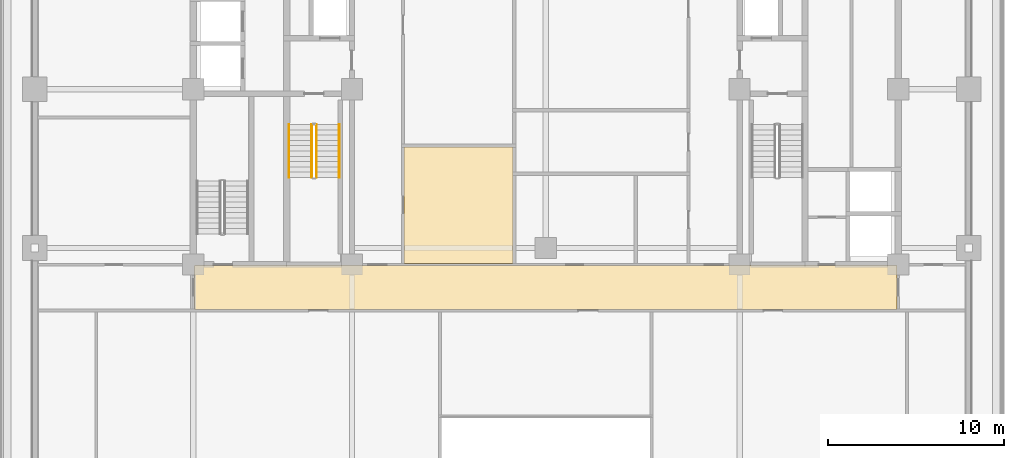
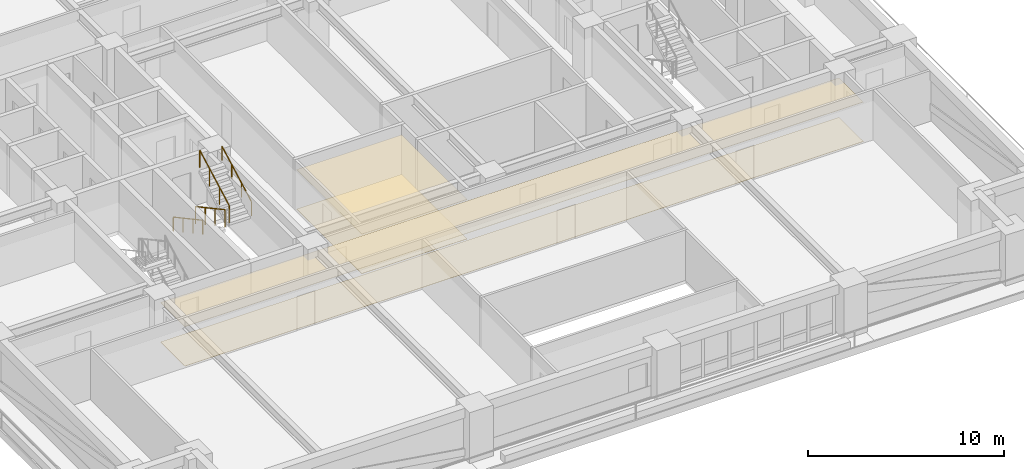
# One storey, part 15 of 18: 4 coverings, 4 railings.
"""IFC4 building model written with IfcOpenShell, lengths in metres."""

from ifc_helpers import new_model, si_unit, direction, frame, origin, origin_2d, place, context, subcontext, project, spatial, polyline, rectangle, outline, extrude, material, layer, layer_set, type_object, element, save


model = new_model("IFC4")

# Units and contexts
model_context = context("Model", 3, precision=1e-05, world=origin(), true_north=direction((0.0, 1.0)))
body_context = subcontext(model_context, "Body", "Model", "MODEL_VIEW")
ifc_project = project(units=[si_unit("LENGTHUNIT", "METRE"), si_unit("AREAUNIT", "SQUARE_METRE"), si_unit("VOLUMEUNIT", "CUBIC_METRE"), si_unit("PLANEANGLEUNIT", "RADIAN"), si_unit("MASSUNIT", "GRAM", prefix="KILO")], contexts=[model_context])

# Site, building, storey
site_placement = place(None, origin())
site = spatial("IfcSite", under=ifc_project, at=site_placement, CompositionType="ELEMENT")
building_placement = place(site_placement, origin())
building = spatial("IfcBuilding", under=site, at=building_placement, Name="Zulmaris Gate Convention Tower", CompositionType="ELEMENT")
storey_placement = place(building_placement, frame((0.0, 0.0, 78.60986328125)))
storey = spatial("IfcBuildingStorey", under=building, at=storey_placement, Name="L19", CompositionType="ELEMENT", Elevation=78.60986328125)

# Coverings
ifc_material_1 = material(Name="Mineral Fibre Acoustic Ceiling Tile")
ifc_layer_1 = layer(ifc_material_1, 0.02001953125, Name="Mineral Fibre Acoustic Ceiling Tile")
ifc_layer_set_1 = layer_set([ifc_layer_1], Name="Mineral Fibre Acoustic Ceiling Tile")
covering_type_1 = type_object("IfcCoveringType", Name="CLG-ACOUSTIC-600", PredefinedType="CEILING", material=ifc_layer_set_1)
covering_1_placement = place(storey_placement, frame((0.0, 0.0, 2.453125)))
element("IfcCovering", 1, at=covering_1_placement, inside=storey, type_object=covering_type_1, Name="CLG-L19-R30", PredefinedType="CEILING", context=body_context, shape_type="SweptSolid", body=[
    extrude(outline(polyline([(-19.93994140625, -12.489990234375), (19.93994140625, -12.489990234375), (19.93994140625, -10.010009765625), (-19.93994140625, -10.010009765625), (-19.93994140625, -12.489990234375)])), origin(), (0.0, 0.0, 1.0), 0.02001953125),
])
covering_2_placement = place(storey_placement, frame((0.0, 0.0, 2.453125)))
element("IfcCovering", 2, at=covering_2_placement, inside=storey, type_object=covering_type_1, Name="CLG-L19-R40", PredefinedType="CEILING", context=body_context, shape_type="SweptSolid", body=[
    extrude(outline(polyline([(-8.0400390625, -9.889892578125), (-1.860107421875, -9.889892578125), (-1.860107421875, -3.260009765625), (-8.0400390625, -3.260009765625), (-8.0400390625, -9.889892578125)])), origin(), (0.0, 0.0, 1.0), 0.02001953125),
])
ifc_material_2 = material(Name="Woven Acoustic Wool Carpet Tile")
ifc_layer_2 = layer(ifc_material_2, 0.02001953125, Name="Woven Acoustic Wool Carpet Tile")
ifc_layer_set_2 = layer_set([ifc_layer_2], Name="Woven Acoustic Wool Carpet Tile")
covering_type_2 = type_object("IfcCoveringType", Name="FLR-CARPET-12", PredefinedType="FLOORING", material=ifc_layer_set_2)
covering_3_placement = place(storey_placement, origin())
element("IfcCovering", 3, at=covering_3_placement, inside=storey, type_object=covering_type_2, Name="FLR-L19-R30", PredefinedType="FLOORING", context=body_context, shape_type="SweptSolid", body=[
    extrude(outline(polyline([(-19.93994140625, -12.489990234375), (19.93994140625, -12.489990234375), (19.93994140625, -10.010009765625), (-19.93994140625, -10.010009765625), (-19.93994140625, -12.489990234375)])), origin(), (0.0, 0.0, 1.0), 0.02001953125),
])
covering_4_placement = place(storey_placement, origin())
element("IfcCovering", 4, at=covering_4_placement, inside=storey, type_object=covering_type_2, Name="FLR-L19-R40", PredefinedType="FLOORING", context=body_context, shape_type="SweptSolid", body=[
    extrude(outline(polyline([(-8.0400390625, -9.889892578125), (-1.860107421875, -9.889892578125), (-1.860107421875, -3.260009765625), (-8.0400390625, -3.260009765625), (-8.0400390625, -9.889892578125)])), origin(), (0.0, 0.0, 1.0), 0.02001953125),
])

# Railings
ifc_material_3 = material(Name="Painted Galvanised Steel", Category="steel")
railing_type_1 = type_object("IfcRailingType", Name="RL-STG-1150", PredefinedType="GUARDRAIL", material=ifc_material_3)
railing_1_placement = place(storey_placement, frame((-13.27001953125, -2.0, 0.162353515625)))
element("IfcRailing", 5, at=railing_1_placement, inside=storey, type_object=railing_type_1, Name="L19 ST-1 stair guard 1", PredefinedType="GUARDRAIL", context=body_context, shape_type="SweptSolid", body=[
    extrude(rectangle(XDim=0.048095703125, YDim=0.048095703125, at=origin_2d()), frame((0.0, 0.0, 1.076171875), z_axis=(0.0, -0.8795616155, 0.475784998228), x_axis=(1.0, 0.0, 0.0)), (0.0, 0.0, 1.0), 3.410888671875),
    extrude(rectangle(XDim=0.0419921875, YDim=0.0419921875, at=origin_2d()), origin(), (0.0, 0.0, 1.0), 1.052001953125),
    extrude(rectangle(XDim=0.0419921875, YDim=0.0419921875, at=origin_2d()), frame((0.0, -1.0, 0.541015625)), (0.0, 0.0, 1.0), 1.052001953125),
    extrude(rectangle(XDim=0.0419921875, YDim=0.0419921875, at=origin_2d()), frame((0.0, -2.0, 1.081787109375)), (0.0, 0.0, 1.0), 1.052001953125),
    extrude(rectangle(XDim=0.0419921875, YDim=0.0419921875, at=origin_2d()), frame((0.0, -3.0, 1.622802734375)), (0.0, 0.0, 1.0), 1.052001953125),
])
railing_2_placement = place(storey_placement, frame((-13.010009765625, -5.0, 1.947265625)))
element("IfcRailing", 6, at=railing_2_placement, inside=storey, type_object=railing_type_1, Name="L19 ST-1 stair guard 3", PredefinedType="GUARDRAIL", context=body_context, shape_type="SweptSolid", body=[
    extrude(rectangle(XDim=0.048095703125, YDim=0.048095703125, at=origin_2d()), frame((0.0, 0.0, 1.076171875), z_axis=(0.0, 0.8795616155, 0.475784998228), x_axis=(-1.0, 0.0, 0.0)), (0.0, 0.0, 1.0), 3.410888671875),
    extrude(rectangle(XDim=0.0419921875, YDim=0.0419921875, at=origin_2d()), origin(), (0.0, 0.0, 1.0), 1.052001953125),
    extrude(rectangle(XDim=0.0419921875, YDim=0.0419921875, at=origin_2d()), frame((0.0, 1.0, 0.541015625)), (0.0, 0.0, 1.0), 1.052001953125),
    extrude(rectangle(XDim=0.0419921875, YDim=0.0419921875, at=origin_2d()), frame((0.0, 2.0, 1.081787109375)), (0.0, 0.0, 1.0), 1.052001953125),
    extrude(rectangle(XDim=0.0419921875, YDim=0.0419921875, at=origin_2d()), frame((0.0, 3.0, 1.622802734375)), (0.0, 0.0, 1.0), 1.052001953125),
])
ifc_material_4 = material(Name="Brushed Stainless Steel", Category="steel")
railing_type_2 = type_object("IfcRailingType", Name="RL-STH-900", PredefinedType="HANDRAIL", material=ifc_material_4)
railing_3_placement = place(storey_placement, frame((-14.570068359375, -2.0, 0.162353515625)))
element("IfcRailing", 7, at=railing_3_placement, inside=storey, type_object=railing_type_2, Name="L19 ST-1 stair handrail 1", PredefinedType="HANDRAIL", context=body_context, shape_type="SweptSolid", body=[
    extrude(rectangle(XDim=0.048095703125, YDim=0.048095703125, at=origin_2d()), frame((0.0, 0.0, 0.8759765625), z_axis=(0.0, -0.8795616155, 0.475784998228), x_axis=(1.0, 0.0, 0.0)), (0.0, 0.0, 1.0), 3.410888671875),
    extrude(rectangle(XDim=0.0419921875, YDim=0.0419921875, at=origin_2d()), origin(), (0.0, 0.0, 1.0), 0.851806640625),
    extrude(rectangle(XDim=0.0419921875, YDim=0.0419921875, at=origin_2d()), frame((0.0, -1.0, 0.541015625)), (0.0, 0.0, 1.0), 0.851806640625),
    extrude(rectangle(XDim=0.0419921875, YDim=0.0419921875, at=origin_2d()), frame((0.0, -2.0, 1.081787109375)), (0.0, 0.0, 1.0), 0.851806640625),
    extrude(rectangle(XDim=0.0419921875, YDim=0.0419921875, at=origin_2d()), frame((0.0, -3.0, 1.622802734375)), (0.0, 0.0, 1.0), 0.851806640625),
])
railing_4_placement = place(storey_placement, frame((-11.7099609375, -5.0, 1.947265625)))
element("IfcRailing", 8, at=railing_4_placement, inside=storey, type_object=railing_type_2, Name="L19 ST-1 stair handrail 2", PredefinedType="HANDRAIL", context=body_context, shape_type="SweptSolid", body=[
    extrude(rectangle(XDim=0.048095703125, YDim=0.048095703125, at=origin_2d()), frame((0.0, 0.0, 0.8759765625), z_axis=(0.0, 0.8795616155, 0.475784998228), x_axis=(-1.0, 0.0, 0.0)), (0.0, 0.0, 1.0), 3.410888671875),
    extrude(rectangle(XDim=0.0419921875, YDim=0.0419921875, at=origin_2d()), origin(), (0.0, 0.0, 1.0), 0.851806640625),
    extrude(rectangle(XDim=0.0419921875, YDim=0.0419921875, at=origin_2d()), frame((0.0, 1.0, 0.541015625)), (0.0, 0.0, 1.0), 0.851806640625),
    extrude(rectangle(XDim=0.0419921875, YDim=0.0419921875, at=origin_2d()), frame((0.0, 2.0, 1.081787109375)), (0.0, 0.0, 1.0), 0.851806640625),
    extrude(rectangle(XDim=0.0419921875, YDim=0.0419921875, at=origin_2d()), frame((0.0, 3.0, 1.622802734375)), (0.0, 0.0, 1.0), 0.851806640625),
])

save(model, "model.ifc")
